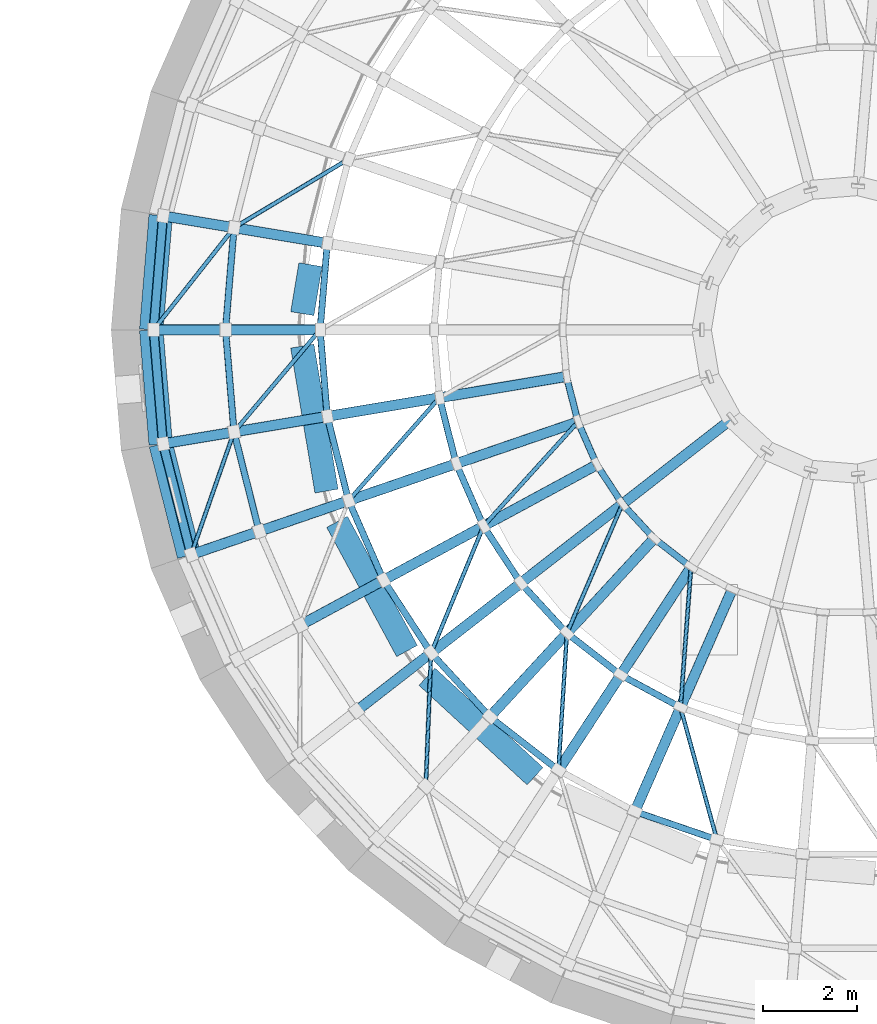
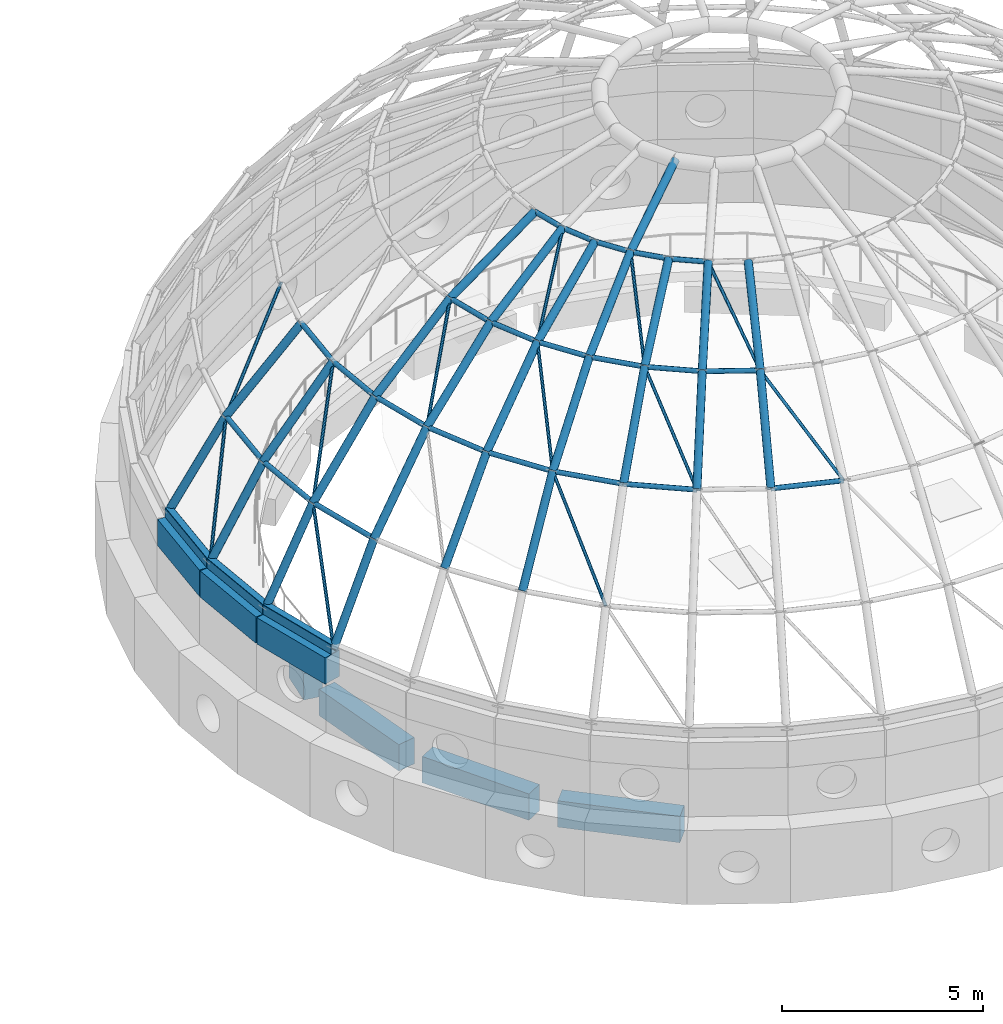
# One storey, part 28 of 98: 62 members, 7 beams.
"""IFC4 building model written with IfcOpenShell, lengths in metres."""

from ifc_helpers import new_model, si_unit, direction, frame, origin, origin_2d, place, context, subcontext, project, spatial, rectangle, hollow_rectangle, hollow_circle, extrude, material, material_profile, profile_set, type_object, element, save


model = new_model("IFC4")

# Units and contexts
model_context = context("Model", 3, precision=1e-05, world=origin(), true_north=direction((0.0, 1.0)))
body_context = subcontext(model_context, "Body", "Model", "MODEL_VIEW")
ifc_project = project(units=[si_unit("LENGTHUNIT", "METRE"), si_unit("AREAUNIT", "SQUARE_METRE"), si_unit("VOLUMEUNIT", "CUBIC_METRE"), si_unit("PLANEANGLEUNIT", "RADIAN"), si_unit("MASSUNIT", "GRAM", prefix="KILO")], contexts=[model_context])

# Site, building, storey
site_placement = place(None, origin())
site = spatial("IfcSite", under=ifc_project, at=site_placement, CompositionType="ELEMENT")
building_placement = place(site_placement, origin())
building = spatial("IfcBuilding", under=site, at=building_placement, Name="Sun Court Science Centre", CompositionType="ELEMENT")
storey_placement = place(building_placement, frame((0.0, 0.0, 15.75)))
storey = spatial("IfcBuildingStorey", under=building, at=storey_placement, Name="L03", CompositionType="ELEMENT", Elevation=15.75)

# Members
ifc_material_1 = material(Name="Steel S355", Category="steel")
ifc_material_profile_1 = material_profile(ifc_material_1, hollow_circle(Radius=0.04443359375, WallThickness=0.0048828125, at=origin_2d()), Name="CHS 88.9x5")
ifc_profile_set_1 = profile_set([ifc_material_profile_1], Name="Steel S355")
member_type_1 = type_object("IfcMemberType", Name="Dome brace CHS 88.9x5", PredefinedType="BRACE", material=ifc_profile_set_1)
for number, where, z_axis, x_axis, name in (
    (1, (45.30859375, 94.84619140625, 12.534912109375), (-0.606768089129, -0.669284932802, -0.428824165292), (0.740861014924, -0.671658362983, 0.0), "Dome brace 2.21"),
    (2, (46.25146484375, 93.10400390625, 12.534912109375), (-0.356628443592, -0.830014645344, -0.428826120631), (0.918780767666, -0.394768161036, 0.0), "Dome brace 2.23"),
    (3, (47.708740234375, 91.762451171875, 12.534912109375), (-0.067765894004, -0.90083560295, -0.428839130756), (0.997182507236, -0.075013647181, 0.0), "Dome brace 2.25"),
):
    element("IfcMember", number, at=place(storey_placement, frame(where, z_axis=z_axis, x_axis=x_axis)), inside=storey, type_object=member_type_1, Name=name, PredefinedType="BRACE", context=body_context, shape_type="SweptSolid", body=[
        extrude(hollow_circle(Radius=0.04443359375, WallThickness=0.0048828125, at=origin_2d()), origin(), (0.0, 0.0, 1.0), 3.3037109375),
    ])
member_1_placement = place(storey_placement, frame((42.36865234375, 95.359619140625, 11.1181640625), z_axis=(-0.553504769881, -0.627001795653, -0.548179913867), x_axis=(0.749678927007, -0.661801712298, 0.0)))
element("IfcMember", 4, at=member_1_placement, inside=storey, type_object=member_type_1, Name="Dome brace 3.20", PredefinedType="BRACE", context=body_context, shape_type="SweptSolid", body=[
    extrude(hollow_circle(Radius=0.04443359375, WallThickness=0.0048828125, at=origin_2d()), origin(), (0.0, 0.0, 1.0), 3.484619140625),
])
for number, where, z_axis, x_axis, name in (
    (5, (43.303955078125, 92.635009765625, 11.1181640625), (-0.319917558104, -0.772748740327, -0.548189876174), (0.923949458245, -0.382514573066, 0.0), "Dome brace 3.22"),
    (6, (45.0732421875, 90.36181640625, 11.1181640625), (-0.051638109086, -0.834757709152, -0.548190726574), (0.9980921442, -0.061741976689, 0.0), "Dome brace 3.24"),
):
    element("IfcMember", number, at=place(storey_placement, frame(where, z_axis=z_axis, x_axis=x_axis)), inside=storey, type_object=member_type_1, Name=name, PredefinedType="BRACE", context=body_context, shape_type="SweptSolid", body=[
        extrude(hollow_circle(Radius=0.04443359375, WallThickness=0.0048828125, at=origin_2d()), origin(), (0.0, 0.0, 1.0), 3.484375),
    ])
member_2_placement = place(storey_placement, frame((47.48486328125, 88.786376953125, 11.1181640625), z_axis=(0.222162947863, -0.806330295478, -0.548156071928), x_axis=(0.964076245086, 0.265625664538, 0.0)))
element("IfcMember", 7, at=member_2_placement, inside=storey, type_object=member_type_1, Name="Dome brace 3.26", PredefinedType="BRACE", context=body_context, shape_type="SweptSolid", body=[
    extrude(hollow_circle(Radius=0.04443359375, WallThickness=0.0048828125, at=origin_2d()), origin(), (0.0, 0.0, 1.0), 3.484619140625),
])
for number, where, z_axis, x_axis, name in (
    (8, (40.43994140625, 100.42529296875, 9.2080078125), (-0.662257030142, -0.396769267582, -0.635601899249), (0.513938520927, -0.857827020271, 0.0), "Dome brace 4.17"),
    (9, (39.8349609375, 96.800048828125, 9.2080078125), (-0.497532530446, -0.590325504728, -0.635591991466), (0.764645440107, -0.644451201351, 0.0), "Dome brace 4.19"),
    (10, (42.189208984375, 89.9423828125, 9.2080078125), (-0.030044308145, -0.771447434351, -0.635583350617), (0.999242490559, -0.038915871595, 0.0), "Dome brace 4.23"),
):
    element("IfcMember", number, at=place(storey_placement, frame(where, z_axis=z_axis, x_axis=x_axis)), inside=storey, type_object=member_type_1, Name=name, PredefinedType="BRACE", context=body_context, shape_type="SweptSolid", body=[
        extrude(hollow_circle(Radius=0.04443359375, WallThickness=0.0048828125, at=origin_2d()), origin(), (0.0, 0.0, 1.0), 3.6728515625),
    ])
for number, where, z_axis, x_axis, name in (
    (11, (38.007568359375, 98.968017578125, 6.87353515625), (-0.456365362847, -0.579843242536, -0.674916639059), (0.785808335347, -0.618470096367, 0.0), "Dome brace 5.18"),
    (12, (38.007568359375, 94.6318359375, 6.87353515625), (-0.243366342905, -0.69660105879, -0.67492206071), (0.944045833436, -0.329814287703, 0.0), "Dome brace 5.20"),
):
    element("IfcMember", number, at=place(storey_placement, frame(where, z_axis=z_axis, x_axis=x_axis)), inside=storey, type_object=member_type_1, Name=name, PredefinedType="BRACE", context=body_context, shape_type="SweptSolid", body=[
        extrude(hollow_circle(Radius=0.04443359375, WallThickness=0.0048828125, at=origin_2d()), origin(), (0.0, 0.0, 1.0), 3.73876953125),
    ])
ifc_material_2 = material(Name="Steel S355", Category="steel")
ifc_material_profile_2 = material_profile(ifc_material_2, hollow_circle(Radius=0.109619140625, WallThickness=0.010009765625, at=origin_2d()), Name="CHS 219.1x10")
ifc_profile_set_2 = profile_set([ifc_material_profile_2], Name="Steel S355")
member_type_2 = type_object("IfcMemberType", Name="Dome rib CHS 219.1x10", PredefinedType="RAFTER", material=ifc_profile_set_2)
member_3_placement = place(storey_placement, frame((36.501708984375, 99.21923828125, 4.35009765625), z_axis=(0.510579300357, -0.085179328805, 0.855601110326), x_axis=(0.164554580167, 0.986367979076, 0.0)))
element("IfcMember", 13, at=member_3_placement, inside=storey, type_object=member_type_2, Name="Dome rib 18", PredefinedType="RAFTER", context=body_context, shape_type="SweptSolid", body=[
    extrude(hollow_circle(Radius=0.109619140625, WallThickness=0.010009765625, at=origin_2d()), origin(), (0.0, 0.0, 1.0), 2.94921875),
])
member_4_placement = place(storey_placement, frame((38.007568359375, 98.968017578125, 6.87353515625), z_axis=(0.643048457555, -0.107293693806, 0.758272210031), x_axis=(0.164576510693, 0.986364320182, 0.0)))
element("IfcMember", 14, at=member_4_placement, inside=storey, type_object=member_type_2, Name="Dome rib 18", PredefinedType="RAFTER", context=body_context, shape_type="SweptSolid", body=[
    extrude(hollow_circle(Radius=0.109619140625, WallThickness=0.010009765625, at=origin_2d()), origin(), (0.0, 0.0, 1.0), 3.07861328125),
])
member_5_placement = place(storey_placement, frame((36.30126953125, 96.800048828125, 4.35009765625), z_axis=(0.517620913397, 0.0, 0.855610068906), x_axis=(0.0, 1.0, 0.0)))
element("IfcMember", 15, at=member_5_placement, inside=storey, type_object=member_type_2, Name="Dome rib 19", PredefinedType="RAFTER", context=body_context, shape_type="SweptSolid", body=[
    extrude(hollow_circle(Radius=0.109619140625, WallThickness=0.010009765625, at=origin_2d()), origin(), (0.0, 0.0, 1.0), 2.94921875),
])
member_6_placement = place(storey_placement, frame((37.827880859375, 96.800048828125, 6.87353515625), z_axis=(0.651933503508, 0.0, 0.758276141655), x_axis=(0.0, 1.0, 0.0)))
element("IfcMember", 16, at=member_6_placement, inside=storey, type_object=member_type_2, Name="Dome rib 19", PredefinedType="RAFTER", context=body_context, shape_type="SweptSolid", body=[
    extrude(hollow_circle(Radius=0.109619140625, WallThickness=0.010009765625, at=origin_2d()), origin(), (0.0, 0.0, 1.0), 3.07861328125),
])
member_7_placement = place(storey_placement, frame((36.501708984375, 94.380615234375, 4.35009765625), z_axis=(0.510579300357, 0.085179328805, 0.855601110326), x_axis=(-0.164554580167, 0.986367979076, 0.0)))
element("IfcMember", 17, at=member_7_placement, inside=storey, type_object=member_type_2, Name="Dome rib 20", PredefinedType="RAFTER", context=body_context, shape_type="SweptSolid", body=[
    extrude(hollow_circle(Radius=0.109619140625, WallThickness=0.010009765625, at=origin_2d()), origin(), (0.0, 0.0, 1.0), 2.94921875),
])
for number, where, z_axis, x_axis, name in (
    (18, (38.007568359375, 94.6318359375, 6.87353515625), (0.643042984256, 0.107372080489, 0.758265756006), (-0.164694850734, 0.986344567655, 0.0), "Dome rib 20"),
    (19, (39.9873046875, 94.96240234375, 9.2080078125), (0.773536141144, 0.129028429531, 0.620478446618), (-0.164530174881, 0.98637205027, 0.0), "Dome rib 20"),
    (20, (42.36865234375, 95.359619140625, 11.1181640625), (0.875713699784, 0.146150534158, 0.460179896753), (-0.164616247506, 0.986357689207, 0.0), "Dome rib 20"),
):
    element("IfcMember", number, at=place(storey_placement, frame(where, z_axis=z_axis, x_axis=x_axis)), inside=storey, type_object=member_type_2, Name=name, PredefinedType="RAFTER", context=body_context, shape_type="SweptSolid", body=[
        extrude(hollow_circle(Radius=0.109619140625, WallThickness=0.010009765625, at=origin_2d()), origin(), (0.0, 0.0, 1.0), 3.07861328125),
    ])
member_8_placement = place(storey_placement, frame((37.09765625, 92.02734375, 4.35009765625), z_axis=(0.489627789527, 0.168037939601, 0.855586277693), x_axis=(-0.324610482801, 0.945847786092, 0.0)))
element("IfcMember", 21, at=member_8_placement, inside=storey, type_object=member_type_2, Name="Dome rib 21", PredefinedType="RAFTER", context=body_context, shape_type="SweptSolid", body=[
    extrude(hollow_circle(Radius=0.109619140625, WallThickness=0.010009765625, at=origin_2d()), origin(), (0.0, 0.0, 1.0), 2.949462890625),
])
for number, where, z_axis, x_axis, name in (
    (22, (38.541748046875, 92.52294921875, 6.87353515625), (0.616575564744, 0.211737203584, 0.758288816731), (-0.324790781277, 0.945785889299, 0.0), "Dome rib 21"),
    (23, (40.43994140625, 93.1748046875, 9.2080078125), (0.741731570983, 0.254645576224, 0.620475549169), (-0.324709514546, 0.945813793071, 0.0), "Dome rib 21"),
    (24, (42.723388671875, 93.958740234375, 11.1181640625), (0.839722834307, 0.288260695316, 0.460186193926), (-0.324682825787, 0.945822955229, 0.0), "Dome rib 21"),
    (25, (39.41552734375, 90.53076171875, 6.87353515625), (0.573346885255, 0.310305167635, 0.758277028604), (-0.475977468556, 0.879457474485, 0.0), "Dome rib 22"),
):
    element("IfcMember", number, at=place(storey_placement, frame(where, z_axis=z_axis, x_axis=x_axis)), inside=storey, type_object=member_type_2, Name=name, PredefinedType="RAFTER", context=body_context, shape_type="SweptSolid", body=[
        extrude(hollow_circle(Radius=0.109619140625, WallThickness=0.010009765625, at=origin_2d()), origin(), (0.0, 0.0, 1.0), 3.07861328125),
    ])
member_9_placement = place(storey_placement, frame((41.1806640625, 91.486083984375, 9.2080078125), z_axis=(0.689718653695, 0.37321099049, 0.620485080661), x_axis=(-0.475901944609, 0.879498345148, 0.0)))
element("IfcMember", 26, at=member_9_placement, inside=storey, type_object=member_type_2, Name="Dome rib 22", PredefinedType="RAFTER", context=body_context, shape_type="SweptSolid", body=[
    extrude(hollow_circle(Radius=0.109619140625, WallThickness=0.010009765625, at=origin_2d()), origin(), (0.0, 0.0, 1.0), 3.078369140625),
])
for number, where, z_axis, x_axis, name in (
    (27, (43.303955078125, 92.635009765625, 11.1181640625), (0.780797426189, 0.422594910031, 0.460183573449), (-0.475989622819, 0.87945089628, 0.0), "Dome rib 22"),
    (28, (40.60546875, 88.70947265625, 6.87353515625), (0.514427468943, 0.400471515055, 0.75827893603), (-0.614285827395, 0.789083596498, 0.0), "Dome rib 23"),
):
    element("IfcMember", number, at=place(storey_placement, frame(where, z_axis=z_axis, x_axis=x_axis)), inside=storey, type_object=member_type_2, Name=name, PredefinedType="RAFTER", context=body_context, shape_type="SweptSolid", body=[
        extrude(hollow_circle(Radius=0.109619140625, WallThickness=0.010009765625, at=origin_2d()), origin(), (0.0, 0.0, 1.0), 3.07861328125),
    ])
member_10_placement = place(storey_placement, frame((42.189208984375, 89.9423828125, 9.2080078125), z_axis=(0.618899946723, 0.481622165101, 0.620486056274), x_axis=(-0.614143624893, 0.789194277731, 0.0)))
element("IfcMember", 29, at=member_10_placement, inside=storey, type_object=member_type_2, Name="Dome rib 23", PredefinedType="RAFTER", context=body_context, shape_type="SweptSolid", body=[
    extrude(hollow_circle(Radius=0.109619140625, WallThickness=0.010009765625, at=origin_2d()), origin(), (0.0, 0.0, 1.0), 3.078369140625),
])
member_11_placement = place(storey_placement, frame((44.094482421875, 91.425048828125, 11.1181640625), z_axis=(0.70060564, 0.545338425159, 0.46017142376), x_axis=(-0.614237379486, 0.789121309839, 0.0)))
element("IfcMember", 30, at=member_11_placement, inside=storey, type_object=member_type_2, Name="Dome rib 23", PredefinedType="RAFTER", context=body_context, shape_type="SweptSolid", body=[
    extrude(hollow_circle(Radius=0.109619140625, WallThickness=0.010009765625, at=origin_2d()), origin(), (0.0, 0.0, 1.0), 3.078857421875),
])
member_12_placement = place(storey_placement, frame((46.25146484375, 93.10400390625, 12.534912109375), z_axis=(0.75686796255, 0.589142088619, 0.282953152806), x_axis=(-0.614243947197, 0.789116197611, 0.0)))
element("IfcMember", 31, at=member_12_placement, inside=storey, type_object=member_type_2, Name="Dome rib 23", PredefinedType="RAFTER", context=body_context, shape_type="SweptSolid", body=[
    extrude(hollow_circle(Radius=0.109619140625, WallThickness=0.010009765625, at=origin_2d()), origin(), (0.0, 0.0, 1.0), 3.07861328125),
])
member_13_placement = place(storey_placement, frame((43.438232421875, 88.585693359375, 9.2080078125), z_axis=(0.531122664387, 0.576962428463, 0.62050227358), x_axis=(-0.73572941785, 0.677275589188, 0.0)))
element("IfcMember", 32, at=member_13_placement, inside=storey, type_object=member_type_2, Name="Dome rib 24", PredefinedType="RAFTER", context=body_context, shape_type="SweptSolid", body=[
    extrude(hollow_circle(Radius=0.109619140625, WallThickness=0.010009765625, at=origin_2d()), origin(), (0.0, 0.0, 1.0), 3.078369140625),
])
member_14_placement = place(storey_placement, frame((45.0732421875, 90.36181640625, 11.1181640625), z_axis=(0.601323996886, 0.653185515278, 0.460171852029), x_axis=(-0.735710232443, 0.677296429843, 0.0)))
element("IfcMember", 33, at=member_14_placement, inside=storey, type_object=member_type_2, Name="Dome rib 24", PredefinedType="RAFTER", context=body_context, shape_type="SweptSolid", body=[
    extrude(hollow_circle(Radius=0.109619140625, WallThickness=0.010009765625, at=origin_2d()), origin(), (0.0, 0.0, 1.0), 3.078857421875),
])
member_15_placement = place(storey_placement, frame((44.893310546875, 87.453125, 9.2080078125), z_axis=(0.428964919787, 0.656493179145, 0.620488358737), x_axis=(-0.837133476349, 0.546998667984, 0.0)))
element("IfcMember", 34, at=member_15_placement, inside=storey, type_object=member_type_2, Name="Dome rib 25", PredefinedType="RAFTER", context=body_context, shape_type="SweptSolid", body=[
    extrude(hollow_circle(Radius=0.109619140625, WallThickness=0.010009765625, at=origin_2d()), origin(), (0.0, 0.0, 1.0), 3.078369140625),
])
for number, where, z_axis, x_axis, name in (
    (35, (46.2138671875, 89.47412109375, 11.1181640625), (0.485556373275, 0.743282686054, 0.460180244017), (-0.837194555092, 0.546905180927, 0.0), "Dome rib 25"),
    (36, (46.51513671875, 86.575439453125, 9.2080078125), (0.314997221206, 0.718180975641, 0.62047791005), (-0.91578559843, 0.401667446661, 0.0), "Dome rib 26"),
    (37, (47.48486328125, 88.786376953125, 11.1181640625), (0.356633815491, 0.813033105717, 0.460205922013), (-0.915771491056, 0.401699609372, 0.0), "Dome rib 26"),
):
    element("IfcMember", number, at=place(storey_placement, frame(where, z_axis=z_axis, x_axis=x_axis)), inside=storey, type_object=member_type_2, Name=name, PredefinedType="RAFTER", context=body_context, shape_type="SweptSolid", body=[
        extrude(hollow_circle(Radius=0.109619140625, WallThickness=0.010009765625, at=origin_2d()), origin(), (0.0, 0.0, 1.0), 3.07861328125),
    ])
ifc_material_3 = material(Name="Steel S355", Category="steel")
ifc_material_profile_3 = material_profile(ifc_material_3, hollow_circle(Radius=0.06982421875, WallThickness=0.00634765625, at=origin_2d()), Name="CHS 139.7x6.3")
ifc_profile_set_3 = profile_set([ifc_material_profile_3], Name="Steel S355")
member_type_3 = type_object("IfcMemberType", Name="Dome ring CHS 139.7x6.3", PredefinedType="MEMBER", material=ifc_profile_set_3)
member_16_placement = place(storey_placement, frame((39.9873046875, 98.6376953125, 9.2080078125), z_axis=(-0.082618137027, -0.996581277887, 0.0), x_axis=(0.996581277887, -0.082618137027, 0.0)))
element("IfcMember", 38, at=member_16_placement, inside=storey, type_object=member_type_3, Name="Dome ring 4 chord 18", PredefinedType="MEMBER", context=body_context, shape_type="SweptSolid", body=[
    extrude(hollow_circle(Radius=0.06982421875, WallThickness=0.00634765625, at=origin_2d()), origin(), (0.0, 0.0, 1.0), 1.843994140625),
])
member_17_placement = place(storey_placement, frame((38.007568359375, 98.968017578125, 6.87353515625), z_axis=(-0.082599656307, -0.996582809795, 0.0), x_axis=(0.996582809795, -0.082599656307, 0.0)))
element("IfcMember", 39, at=member_17_placement, inside=storey, type_object=member_type_3, Name="Dome ring 5 chord 18", PredefinedType="MEMBER", context=body_context, shape_type="SweptSolid", body=[
    extrude(hollow_circle(Radius=0.06982421875, WallThickness=0.00634765625, at=origin_2d()), origin(), (0.0, 0.0, 1.0), 2.17529296875),
])
member_18_placement = place(storey_placement, frame((39.8349609375, 96.800048828125, 9.2080078125), z_axis=(0.082618137027, -0.996581277887, 0.0), x_axis=(0.996581277887, 0.082618137027, 0.0)))
element("IfcMember", 40, at=member_18_placement, inside=storey, type_object=member_type_3, Name="Dome ring 4 chord 19", PredefinedType="MEMBER", context=body_context, shape_type="SweptSolid", body=[
    extrude(hollow_circle(Radius=0.06982421875, WallThickness=0.00634765625, at=origin_2d()), origin(), (0.0, 0.0, 1.0), 1.843994140625),
])
member_19_placement = place(storey_placement, frame((37.827880859375, 96.800048828125, 6.87353515625), z_axis=(0.082590419037, -0.996583575363, 0.0), x_axis=(0.996583575363, 0.082590419037, 0.0)))
element("IfcMember", 41, at=member_19_placement, inside=storey, type_object=member_type_3, Name="Dome ring 5 chord 19", PredefinedType="MEMBER", context=body_context, shape_type="SweptSolid", body=[
    extrude(hollow_circle(Radius=0.06982421875, WallThickness=0.00634765625, at=origin_2d()), origin(), (0.0, 0.0, 1.0), 2.175537109375),
])
member_20_placement = place(storey_placement, frame((45.064697265625, 95.8095703125, 12.534912109375), z_axis=(0.245424789416, -0.969415634669, 0.0), x_axis=(0.969415634669, 0.245424789416, 0.0)))
element("IfcMember", 42, at=member_20_placement, inside=storey, type_object=member_type_3, Name="Dome ring 2 chord 20", PredefinedType="MEMBER", context=body_context, shape_type="SweptSolid", body=[
    extrude(hollow_circle(Radius=0.06982421875, WallThickness=0.00634765625, at=origin_2d()), origin(), (0.0, 0.0, 1.0), 0.99365234375),
])
member_21_placement = place(storey_placement, frame((42.36865234375, 95.359619140625, 11.1181640625), z_axis=(0.245476129239, -0.969402635634, 0.0), x_axis=(0.969402635634, 0.245476129239, 0.0)))
element("IfcMember", 43, at=member_21_placement, inside=storey, type_object=member_type_3, Name="Dome ring 3 chord 20", PredefinedType="MEMBER", context=body_context, shape_type="SweptSolid", body=[
    extrude(hollow_circle(Radius=0.06982421875, WallThickness=0.00634765625, at=origin_2d()), origin(), (0.0, 0.0, 1.0), 1.445068359375),
])
member_22_placement = place(storey_placement, frame((39.9873046875, 94.96240234375, 9.2080078125), z_axis=(0.245462815718, -0.969406006841, 0.0), x_axis=(0.969406006841, 0.245462815718, 0.0)))
element("IfcMember", 44, at=member_22_placement, inside=storey, type_object=member_type_3, Name="Dome ring 4 chord 20", PredefinedType="MEMBER", context=body_context, shape_type="SweptSolid", body=[
    extrude(hollow_circle(Radius=0.06982421875, WallThickness=0.00634765625, at=origin_2d()), origin(), (0.0, 0.0, 1.0), 1.843994140625),
])
member_23_placement = place(storey_placement, frame((38.007568359375, 94.6318359375, 6.87353515625), z_axis=(0.245544683746, -0.9693852734, 0.0), x_axis=(0.9693852734, 0.245544683746, 0.0)))
element("IfcMember", 45, at=member_23_placement, inside=storey, type_object=member_type_3, Name="Dome ring 5 chord 20", PredefinedType="MEMBER", context=body_context, shape_type="SweptSolid", body=[
    extrude(hollow_circle(Radius=0.06982421875, WallThickness=0.00634765625, at=origin_2d()), origin(), (0.0, 0.0, 1.0), 2.175537109375),
])
member_24_placement = place(storey_placement, frame((45.30859375, 94.84619140625, 12.534912109375), z_axis=(0.401643422927, -0.915796134967, 0.0), x_axis=(0.915796134967, 0.401643422927, 0.0)))
element("IfcMember", 46, at=member_24_placement, inside=storey, type_object=member_type_3, Name="Dome ring 2 chord 21", PredefinedType="MEMBER", context=body_context, shape_type="SweptSolid", body=[
    extrude(hollow_circle(Radius=0.06982421875, WallThickness=0.00634765625, at=origin_2d()), origin(), (0.0, 0.0, 1.0), 0.993896484375),
])
member_25_placement = place(storey_placement, frame((42.723388671875, 93.958740234375, 11.1181640625), z_axis=(0.401651554456, -0.915792568655, 0.0), x_axis=(0.915792568655, 0.401651554456, 0.0)))
element("IfcMember", 47, at=member_25_placement, inside=storey, type_object=member_type_3, Name="Dome ring 3 chord 21", PredefinedType="MEMBER", context=body_context, shape_type="SweptSolid", body=[
    extrude(hollow_circle(Radius=0.06982421875, WallThickness=0.00634765625, at=origin_2d()), origin(), (0.0, 0.0, 1.0), 1.445556640625),
])
member_26_placement = place(storey_placement, frame((40.43994140625, 93.1748046875, 9.2080078125), z_axis=(0.401686818832, -0.91577710147, 0.0), x_axis=(0.91577710147, 0.401686818832, 0.0)))
element("IfcMember", 48, at=member_26_placement, inside=storey, type_object=member_type_3, Name="Dome ring 4 chord 21", PredefinedType="MEMBER", context=body_context, shape_type="SweptSolid", body=[
    extrude(hollow_circle(Radius=0.06982421875, WallThickness=0.00634765625, at=origin_2d()), origin(), (0.0, 0.0, 1.0), 1.843994140625),
])
member_27_placement = place(storey_placement, frame((45.707763671875, 93.93603515625, 12.534912109375), z_axis=(0.547024328254, -0.837116708887, 0.0), x_axis=(0.837116708887, 0.547024328254, 0.0)))
element("IfcMember", 49, at=member_27_placement, inside=storey, type_object=member_type_3, Name="Dome ring 2 chord 22", PredefinedType="MEMBER", context=body_context, shape_type="SweptSolid", body=[
    extrude(hollow_circle(Radius=0.06982421875, WallThickness=0.00634765625, at=origin_2d()), origin(), (0.0, 0.0, 1.0), 0.993896484375),
])
member_28_placement = place(storey_placement, frame((43.303955078125, 92.635009765625, 11.1181640625), z_axis=(0.54695805486, -0.837160012318, 0.0), x_axis=(0.837160012318, 0.54695805486, 0.0)))
element("IfcMember", 50, at=member_28_placement, inside=storey, type_object=member_type_3, Name="Dome ring 3 chord 22", PredefinedType="MEMBER", context=body_context, shape_type="SweptSolid", body=[
    extrude(hollow_circle(Radius=0.06982421875, WallThickness=0.00634765625, at=origin_2d()), origin(), (0.0, 0.0, 1.0), 1.4453125),
])
member_29_placement = place(storey_placement, frame((41.1806640625, 91.486083984375, 9.2080078125), z_axis=(0.546946109542, -0.837167816663, 0.0), x_axis=(0.837167816663, 0.546946109542, 0.0)))
element("IfcMember", 51, at=member_29_placement, inside=storey, type_object=member_type_3, Name="Dome ring 4 chord 22", PredefinedType="MEMBER", context=body_context, shape_type="SweptSolid", body=[
    extrude(hollow_circle(Radius=0.06982421875, WallThickness=0.00634765625, at=origin_2d()), origin(), (0.0, 0.0, 1.0), 1.843994140625),
])
member_30_placement = place(storey_placement, frame((46.25146484375, 93.10400390625, 12.534912109375), z_axis=(0.677269374655, -0.735735138589, 0.0), x_axis=(0.735735138589, 0.677269374655, 0.0)))
element("IfcMember", 52, at=member_30_placement, inside=storey, type_object=member_type_3, Name="Dome ring 2 chord 23", PredefinedType="MEMBER", context=body_context, shape_type="SweptSolid", body=[
    extrude(hollow_circle(Radius=0.06982421875, WallThickness=0.00634765625, at=origin_2d()), origin(), (0.0, 0.0, 1.0), 0.993896484375),
])
member_31_placement = place(storey_placement, frame((44.094482421875, 91.425048828125, 11.1181640625), z_axis=(0.677276091985, -0.735728955, 0.0), x_axis=(0.735728955, 0.677276091985, 0.0)))
element("IfcMember", 53, at=member_31_placement, inside=storey, type_object=member_type_3, Name="Dome ring 3 chord 23", PredefinedType="MEMBER", context=body_context, shape_type="SweptSolid", body=[
    extrude(hollow_circle(Radius=0.06982421875, WallThickness=0.00634765625, at=origin_2d()), origin(), (0.0, 0.0, 1.0), 1.445068359375),
])
member_32_placement = place(storey_placement, frame((42.189208984375, 89.9423828125, 9.2080078125), z_axis=(0.677311749809, -0.735696128555, 0.0), x_axis=(0.735696128555, 0.677311749809, 0.0)))
element("IfcMember", 54, at=member_32_placement, inside=storey, type_object=member_type_3, Name="Dome ring 4 chord 23", PredefinedType="MEMBER", context=body_context, shape_type="SweptSolid", body=[
    extrude(hollow_circle(Radius=0.06982421875, WallThickness=0.00634765625, at=origin_2d()), origin(), (0.0, 0.0, 1.0), 1.843994140625),
])
member_33_placement = place(storey_placement, frame((46.924560546875, 92.372802734375, 12.534912109375), z_axis=(0.78914050331, -0.614212720509, 0.0), x_axis=(0.614212720509, 0.78914050331, 0.0)))
element("IfcMember", 55, at=member_33_placement, inside=storey, type_object=member_type_3, Name="Dome ring 2 chord 24", PredefinedType="MEMBER", context=body_context, shape_type="SweptSolid", body=[
    extrude(hollow_circle(Radius=0.06982421875, WallThickness=0.00634765625, at=origin_2d()), origin(), (0.0, 0.0, 1.0), 0.99365234375),
])
member_34_placement = place(storey_placement, frame((45.0732421875, 90.36181640625, 11.1181640625), z_axis=(0.789170274405, -0.614174468694, 0.0), x_axis=(0.614174468694, 0.789170274405, 0.0)))
element("IfcMember", 56, at=member_34_placement, inside=storey, type_object=member_type_3, Name="Dome ring 3 chord 24", PredefinedType="MEMBER", context=body_context, shape_type="SweptSolid", body=[
    extrude(hollow_circle(Radius=0.06982421875, WallThickness=0.00634765625, at=origin_2d()), origin(), (0.0, 0.0, 1.0), 1.4453125),
])
member_35_placement = place(storey_placement, frame((43.438232421875, 88.585693359375, 9.2080078125), z_axis=(0.78913115247, -0.61422473428, 0.0), x_axis=(0.61422473428, 0.78913115247, 0.0)))
element("IfcMember", 57, at=member_35_placement, inside=storey, type_object=member_type_3, Name="Dome ring 4 chord 24", PredefinedType="MEMBER", context=body_context, shape_type="SweptSolid", body=[
    extrude(hollow_circle(Radius=0.06982421875, WallThickness=0.00634765625, at=origin_2d()), origin(), (0.0, 0.0, 1.0), 1.843994140625),
])
member_36_placement = place(storey_placement, frame((46.2138671875, 89.47412109375, 11.1181640625), z_axis=(0.879498239452, -0.475902139942, 0.0), x_axis=(0.475902139942, 0.879498239452, 0.0)))
element("IfcMember", 58, at=member_36_placement, inside=storey, type_object=member_type_3, Name="Dome ring 3 chord 25", PredefinedType="MEMBER", context=body_context, shape_type="SweptSolid", body=[
    extrude(hollow_circle(Radius=0.06982421875, WallThickness=0.00634765625, at=origin_2d()), origin(), (0.0, 0.0, 1.0), 1.445068359375),
])
member_37_placement = place(storey_placement, frame((46.51513671875, 86.575439453125, 9.2080078125), z_axis=(0.945784503002, -0.324794818125, 0.0), x_axis=(0.324794818125, 0.945784503002, 0.0)))
element("IfcMember", 59, at=member_37_placement, inside=storey, type_object=member_type_3, Name="Dome ring 4 chord 26", PredefinedType="MEMBER", context=body_context, shape_type="SweptSolid", body=[
    extrude(hollow_circle(Radius=0.06982421875, WallThickness=0.00634765625, at=origin_2d()), origin(), (0.0, 0.0, 1.0), 1.84375),
])
ifc_material_4 = material(Name="Steel S355", Category="steel")
ifc_material_profile_4 = material_profile(ifc_material_4, hollow_rectangle(XDim=0.199951171875, YDim=0.300048828125, WallThickness=0.012451171875, InnerFilletRadius=0.012451171875, OuterFilletRadius=0.018798828125, at=origin_2d()), Name="RHS 300x200x12.5")
ifc_profile_set_4 = profile_set([ifc_material_profile_4], Name="Steel S355")
member_type_4 = type_object("IfcMemberType", Name="Dome tension ring RHS 300x200x12.5", PredefinedType="MEMBER", material=ifc_profile_set_4)
member_38_placement = place(storey_placement, frame((36.501708984375, 99.21923828125, 4.35009765625), z_axis=(-0.082571039839, -0.996585181196, 0.0), x_axis=(0.996585181196, -0.082571039839, 0.0)))
element("IfcMember", 60, at=member_38_placement, inside=storey, type_object=member_type_4, Name="Dome tension ring 18", PredefinedType="MEMBER", context=body_context, shape_type="SweptSolid", body=[
    extrude(hollow_rectangle(XDim=0.199951171875, YDim=0.300048828125, WallThickness=0.012451171875, InnerFilletRadius=0.012451171875, OuterFilletRadius=0.018798828125, at=origin_2d()), origin(), (0.0, 0.0, 1.0), 2.427490234375),
])
member_39_placement = place(storey_placement, frame((36.30126953125, 96.800048828125, 4.35009765625), z_axis=(0.082562764545, -0.996585866803, 0.0), x_axis=(0.996585866803, 0.082562764545, 0.0)))
element("IfcMember", 61, at=member_39_placement, inside=storey, type_object=member_type_4, Name="Dome tension ring 19", PredefinedType="MEMBER", context=body_context, shape_type="SweptSolid", body=[
    extrude(hollow_rectangle(XDim=0.199951171875, YDim=0.300048828125, WallThickness=0.012451171875, InnerFilletRadius=0.012451171875, OuterFilletRadius=0.018798828125, at=origin_2d()), origin(), (0.0, 0.0, 1.0), 2.427734375),
])
member_40_placement = place(storey_placement, frame((36.501708984375, 94.380615234375, 4.35009765625), z_axis=(0.2454924519, -0.969398502196, 0.0), x_axis=(0.969398502196, 0.2454924519, 0.0)))
element("IfcMember", 62, at=member_40_placement, inside=storey, type_object=member_type_4, Name="Dome tension ring 20", PredefinedType="MEMBER", context=body_context, shape_type="SweptSolid", body=[
    extrude(hollow_rectangle(XDim=0.199951171875, YDim=0.300048828125, WallThickness=0.012451171875, InnerFilletRadius=0.012451171875, OuterFilletRadius=0.018798828125, at=origin_2d()), origin(), (0.0, 0.0, 1.0), 2.427490234375),
])

# Beams
ifc_material_5 = material(Name="Concrete C25/30", Category="concrete")
ifc_material_profile_5 = material_profile(ifc_material_5, rectangle(XDim=0.5, YDim=0.800048828125, at=origin_2d()), Name="RC 500x800")
ifc_profile_set_5 = profile_set([ifc_material_profile_5], Name="Concrete C25/30")
beam_type = type_object("IfcBeamType", Name="RC girder 500x800", PredefinedType="BEAM", material=ifc_profile_set_5)
beam_1_placement = place(storey_placement, frame((36.451904296875, 99.2275390625, 3.800048828125), z_axis=(-0.082489706067, -0.996591916681, 0.0), x_axis=(0.996591916681, -0.082489706067, 0.0)))
element("IfcBeam", 63, at=beam_1_placement, inside=storey, type_object=beam_type, Name="Drum ring beam 18", PredefinedType="BEAM", context=body_context, shape_type="SweptSolid", body=[
    extrude(rectangle(XDim=0.5, YDim=0.800048828125, at=origin_2d()), origin(), (0.0, 0.0, 1.0), 2.435791015625),
])
beam_2_placement = place(storey_placement, frame((36.2509765625, 96.800048828125, 3.800048828125), z_axis=(0.082481467081, -0.996592598602, 0.0), x_axis=(0.996592598602, 0.082481467081, 0.0)))
element("IfcBeam", 64, at=beam_2_placement, inside=storey, type_object=beam_type, Name="Drum ring beam 19", PredefinedType="BEAM", context=body_context, shape_type="SweptSolid", body=[
    extrude(rectangle(XDim=0.5, YDim=0.800048828125, at=origin_2d()), origin(), (0.0, 0.0, 1.0), 2.43603515625),
])
beam_3_placement = place(storey_placement, frame((36.451904296875, 94.372314453125, 3.800048828125), z_axis=(0.245553013875, -0.969383163345, 0.0), x_axis=(0.969383163345, 0.245553013875, 0.0)))
element("IfcBeam", 65, at=beam_3_placement, inside=storey, type_object=beam_type, Name="Drum ring beam 20", PredefinedType="BEAM", context=body_context, shape_type="SweptSolid", body=[
    extrude(rectangle(XDim=0.5, YDim=0.800048828125, at=origin_2d()), origin(), (0.0, 0.0, 1.0), 2.435791015625),
])
beam_4_placement = place(storey_placement, frame((39.630859375, 98.183349609375, -0.699951171875), z_axis=(-0.164624581976, -0.986356298205, 0.0), x_axis=(0.986356298205, -0.164624581976, 0.0)))
element("IfcBeam", 66, at=beam_4_placement, inside=storey, type_object=beam_type, Name="Gallery ring beam", PredefinedType="BEAM", context=body_context, shape_type="SweptSolid", body=[
    extrude(rectangle(XDim=0.5, YDim=0.800048828125, at=origin_2d()), origin(), (0.0, 0.0, 1.0), 1.052978515625),
])
beam_5_placement = place(storey_placement, frame((39.45751953125, 96.455078125, -0.699951171875), z_axis=(0.164602063052, -0.986360056389, 0.0), x_axis=(0.986360056389, 0.164602063052, 0.0)))
element("IfcBeam", 67, at=beam_5_placement, inside=storey, type_object=beam_type, Name="Gallery ring beam", PredefinedType="BEAM", context=body_context, shape_type="SweptSolid", body=[
    extrude(rectangle(XDim=0.5, YDim=0.800048828125, at=origin_2d()), origin(), (0.0, 0.0, 1.0), 3.119140625),
])
beam_6_placement = place(storey_placement, frame((40.195068359375, 92.725830078125, -0.699951171875), z_axis=(0.475942673452, -0.879476305302, 0.0), x_axis=(0.879476305302, 0.475942673452, 0.0)))
element("IfcBeam", 68, at=beam_6_placement, inside=storey, type_object=beam_type, Name="Gallery ring beam", PredefinedType="BEAM", context=body_context, shape_type="SweptSolid", body=[
    extrude(rectangle(XDim=0.5, YDim=0.800048828125, at=origin_2d()), origin(), (0.0, 0.0, 1.0), 3.118896484375),
])
beam_7_placement = place(storey_placement, frame((42.103271484375, 89.4384765625, -0.699951171875), z_axis=(0.735696984759, -0.677310819799, 0.0), x_axis=(0.677310819799, 0.735696984759, 0.0)))
element("IfcBeam", 69, at=beam_7_placement, inside=storey, type_object=beam_type, Name="Gallery ring beam", PredefinedType="BEAM", context=body_context, shape_type="SweptSolid", body=[
    extrude(rectangle(XDim=0.5, YDim=0.800048828125, at=origin_2d()), origin(), (0.0, 0.0, 1.0), 3.119384765625),
])

save(model, "model.ifc")
